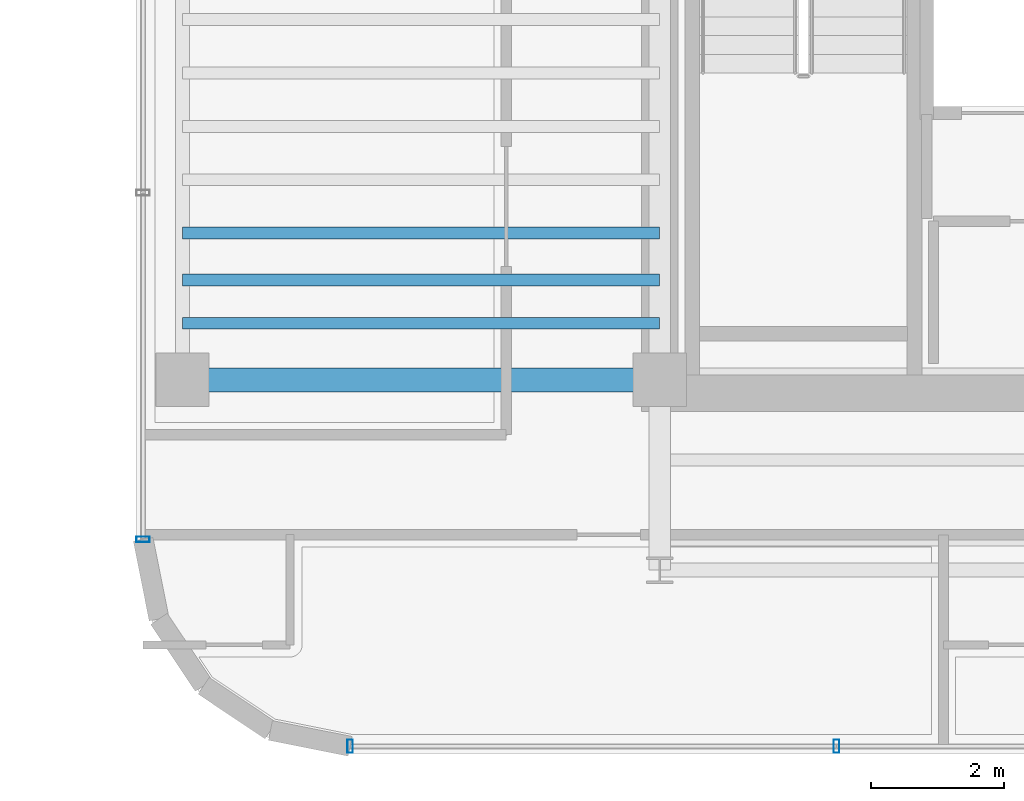
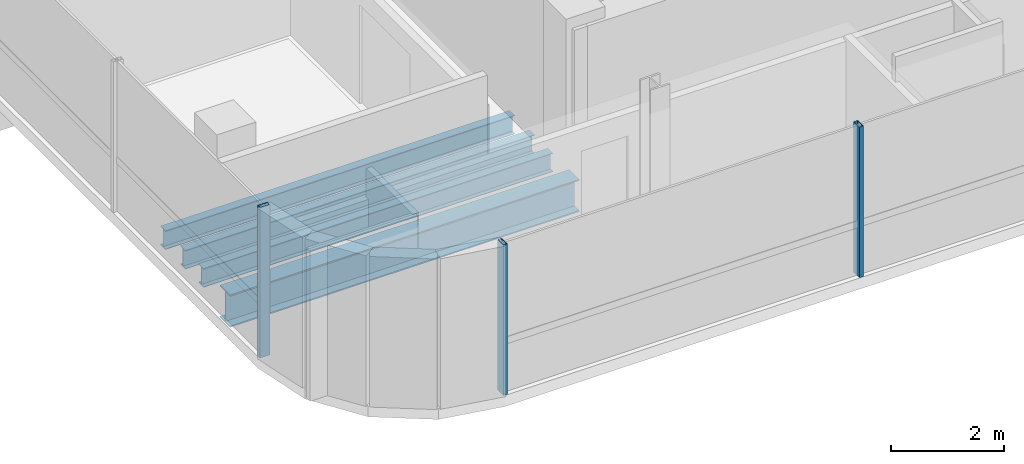
# One storey, part 2 of 20: 4 beams, 3 members, 2 elements without a shape of their own.
"""IFC4 building model written with IfcOpenShell, lengths in metres."""

from ifc_helpers import new_model, si_unit, direction, frame, origin, origin_2d, place, context, subcontext, project, spatial, hollow_rectangle, i_section, extrude, source, transform, mapped, material, material_profile, profile_set, type_object, element, aggregate, save


model = new_model("IFC4")

# Units and contexts
model_context = context("Model", 3, precision=1e-05, world=origin(), true_north=direction((0.0, 1.0)))
body_context = subcontext(model_context, "Body", "Model", "MODEL_VIEW")
ifc_project = project(units=[si_unit("LENGTHUNIT", "METRE"), si_unit("AREAUNIT", "SQUARE_METRE"), si_unit("VOLUMEUNIT", "CUBIC_METRE"), si_unit("PLANEANGLEUNIT", "RADIAN"), si_unit("MASSUNIT", "GRAM", prefix="KILO")], contexts=[model_context])

# Site, building, storey
site_placement = place(None, origin())
site = spatial("IfcSite", under=ifc_project, at=site_placement, CompositionType="ELEMENT")
building_placement = place(site_placement, origin())
building = spatial("IfcBuilding", under=site, at=building_placement, Name="Valdorenza Pilgrim Sanctuary Tower", CompositionType="ELEMENT")
storey_placement = place(building_placement, frame((0.0, 0.0, 240.5)))
storey = spatial("IfcBuildingStorey", under=building, at=storey_placement, Name="L62", CompositionType="ELEMENT", Elevation=240.5)

# Beams
ifc_material_1 = material(Name="Steel ASTM A992 Grade 50", Category="steel")
ifc_material_profile_1 = material_profile(ifc_material_1, i_section(OverallWidth=0.35595703125, OverallDepth=0.700927734375, WebThickness=0.016845703125, FlangeThickness=0.02734375, at=origin_2d()), Name="W27X161")
ifc_profile_set_1 = profile_set([ifc_material_profile_1], Name="Steel ASTM A992 Grade 50")
beam_type_1 = type_object("IfcBeamType", Name="STR-BM-GRD-W27", PredefinedType="BEAM", material=ifc_profile_set_1)
shared_shape_1 = source(origin(), body_context, "Body", "SweptSolid", [
    extrude(i_section(OverallWidth=0.35595703125, OverallDepth=0.700927734375, WebThickness=0.016845703125, FlangeThickness=0.02734375, at=origin_2d()), origin(), (0.0, 0.0, 1.0), 7.150146484375),
])
beam_placement = place(storey_placement, frame((-29.800048828125, -10.60009765625, -0.590576171875), z_axis=(1.0, 0.0, 0.0), x_axis=(0.0, 1.0, 0.0)))
element("IfcBeam", 1, at=beam_placement, inside=storey, type_object=beam_type_1, Name="L62 Floor Girder WA-XW-S1", PredefinedType="BEAM", context=body_context, shape_type="MappedRepresentation", body=[
    mapped(shared_shape_1, transform((0.0, 0.0, 0.0), x_axis=(1.0, 0.0, 0.0), y_axis=(0.0, 1.0, 0.0), z_axis=(0.0, 0.0, 1.0), scale=1.0)),
])
ifc_material_profile_2 = material_profile(ifc_material_1, i_section(OverallWidth=0.177978515625, OverallDepth=0.406005859375, WebThickness=0.0078125, FlangeThickness=0.0126953125, at=origin_2d()), Name="W16X40")
ifc_profile_set_2 = profile_set([ifc_material_profile_2], Name="Steel ASTM A992 Grade 50")
beam_type_2 = type_object("IfcBeamType", Name="STR-BM-JST-W16", PredefinedType="JOIST", material=ifc_profile_set_2)
shared_shape_2 = source(origin(), body_context, "Body", "SweptSolid", [
    extrude(i_section(OverallWidth=0.177978515625, OverallDepth=0.406005859375, WebThickness=0.0078125, FlangeThickness=0.0126953125, at=origin_2d()), origin(), (0.0, 0.0, 1.0), 7.150146484375),
])
for number, where, z_axis, x_axis, name in (
    (2, (-29.800048828125, -9.75, -0.443115234375), (1.0, 0.0, 0.0), (0.0, 1.0, 0.0), "L62 Composite Floor Joist JST-WA-1"),
    (3, (-29.800048828125, -9.10009765625, -0.443115234375), (1.0, 0.0, 0.0), (0.0, 1.0, 0.0), "L62 Composite Floor Joist JST-WA-2"),
    (4, (-29.800048828125, -8.39990234375, -0.443115234375), (1.0, 0.0, 0.0), (0.0, 1.0, 0.0), "L62 Composite Floor Joist JST-WA-3"),
):
    element("IfcBeam", number, at=place(storey_placement, frame(where, z_axis=z_axis, x_axis=x_axis)), inside=storey, type_object=beam_type_2, Name=name, PredefinedType="JOIST", context=body_context, shape_type="MappedRepresentation", body=[
        mapped(shared_shape_2, transform((0.0, 0.0, 0.0), x_axis=(1.0, 0.0, 0.0), y_axis=(0.0, 1.0, 0.0), z_axis=(0.0, 0.0, 1.0), scale=1.0)),
    ])

# Curtain wall, member
ifc_material_2 = material(Name="Curtain-wall IGU glazing", Category="glass")
curtain_wall_type = type_object("IfcCurtainWallType", Name="CW-SYS-02", PredefinedType="NOTDEFINED", material=ifc_material_2)
curtain_wall_1_placement = place(storey_placement, origin())
curtain_wall_1 = element("IfcCurtainWall", 5, at=curtain_wall_1_placement, inside=storey, type_object=curtain_wall_type, Name="L62 Curtain Wall CW-L62-1-1S1", PredefinedType="NOTDEFINED")
ifc_material_3 = material(Name="Anodised aluminium AW-6060", Category="aluminium")
ifc_material_profile_3 = material_profile(ifc_material_3, hollow_rectangle(XDim=0.0849609375, YDim=0.199951171875, WallThickness=0.0048828125, at=origin_2d()), Name="ALU-M 200x85x5")
ifc_profile_set_3 = profile_set([ifc_material_profile_3], Name="Anodised aluminium AW-6060")
member_type = type_object("IfcMemberType", Name="CW-MUL-02", PredefinedType="MULLION", material=ifc_profile_set_3)
shared_shape_3 = source(origin(), body_context, "Body", "SweptSolid", [
    extrude(hollow_rectangle(XDim=0.0849609375, YDim=0.199951171875, WallThickness=0.0048828125, at=origin_2d()), origin(), (0.0, 0.0, 1.0), 3.260009765625),
])
member_1_placement = place(storey_placement, frame((-30.389892578125, -12.9892578125, 0.0), z_axis=(0.0, 0.0, 1.0), x_axis=(0.0, 1.0, 0.0)))
member_1 = element("IfcMember", 6, at=member_1_placement, type_object=member_type, Name="CW-L62-1-1S1 Mullion 1", PredefinedType="MULLION", context=body_context, shape_type="MappedRepresentation", body=[
    mapped(shared_shape_3, transform((0.0, 0.0, 0.0), x_axis=(1.0, 0.0, 0.0), y_axis=(0.0, 1.0, 0.0), z_axis=(0.0, 0.0, 1.0), scale=1.0)),
])
aggregate(curtain_wall_1, [member_1])

# Curtain wall, members
curtain_wall_2_placement = place(storey_placement, origin())
curtain_wall_2 = element("IfcCurtainWall", 7, at=curtain_wall_2_placement, inside=storey, type_object=curtain_wall_type, Name="L62 Curtain Wall CW-L62-1-26", PredefinedType="NOTDEFINED")
member_2_placement = place(storey_placement, frame((-20.0, -16.090087890625, 0.0), z_axis=(0.0, 0.0, 1.0), x_axis=(-1.0, 0.0, 0.0)))
member_2 = element("IfcMember", 8, at=member_2_placement, type_object=member_type, Name="CW-L62-1-26 Mullion 2", PredefinedType="MULLION", context=body_context, shape_type="MappedRepresentation", body=[
    mapped(shared_shape_3, transform((0.0, 0.0, 0.0), x_axis=(1.0, 0.0, 0.0), y_axis=(0.0, 1.0, 0.0), z_axis=(0.0, 0.0, 1.0), scale=1.0)),
])
member_3_placement = place(storey_placement, frame((-27.289306640625, -16.090087890625, 0.0), z_axis=(0.0, 0.0, 1.0), x_axis=(-1.0, 0.0, 0.0)))
member_3 = element("IfcMember", 9, at=member_3_placement, type_object=member_type, Name="CW-L62-1-26 Mullion 3", PredefinedType="MULLION", context=body_context, shape_type="MappedRepresentation", body=[
    mapped(shared_shape_3, transform((0.0, 0.0, 0.0), x_axis=(1.0, 0.0, 0.0), y_axis=(0.0, 1.0, 0.0), z_axis=(0.0, 0.0, 1.0), scale=1.0)),
])
aggregate(curtain_wall_2, [member_2, member_3])

save(model, "model.ifc")
